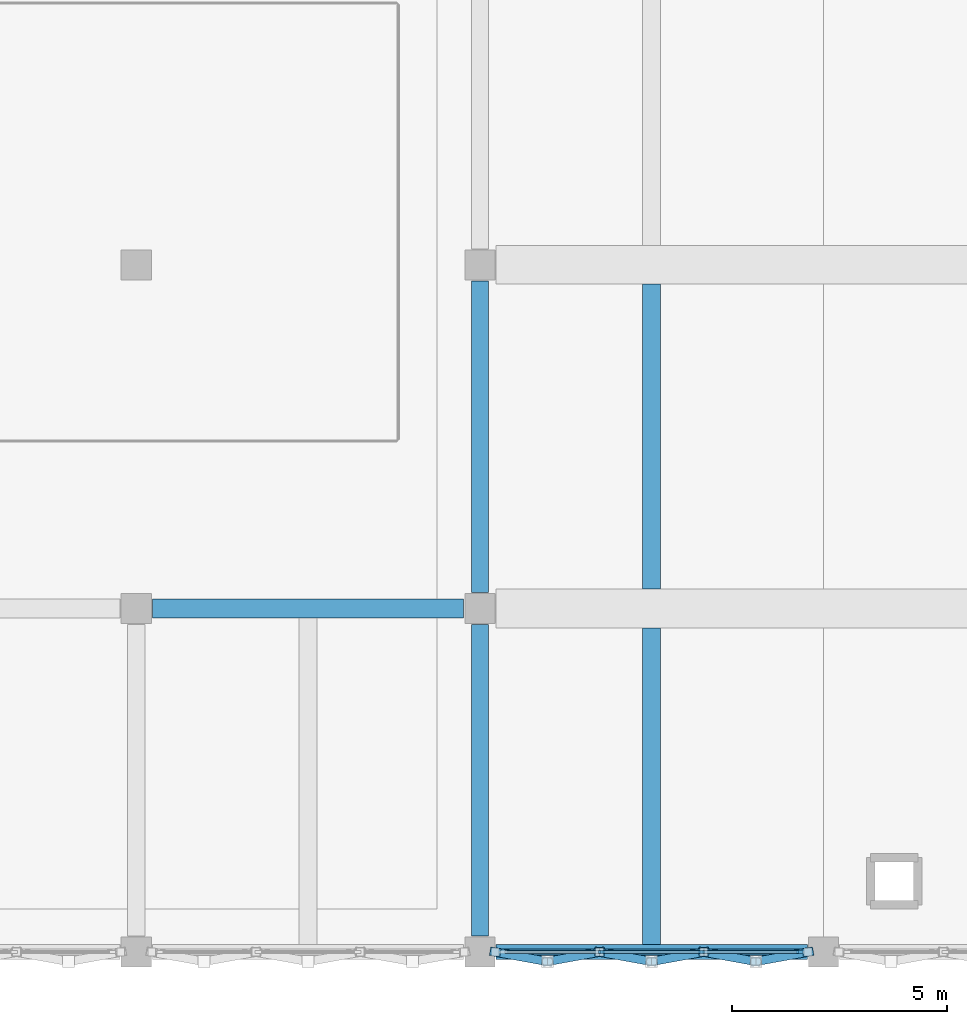
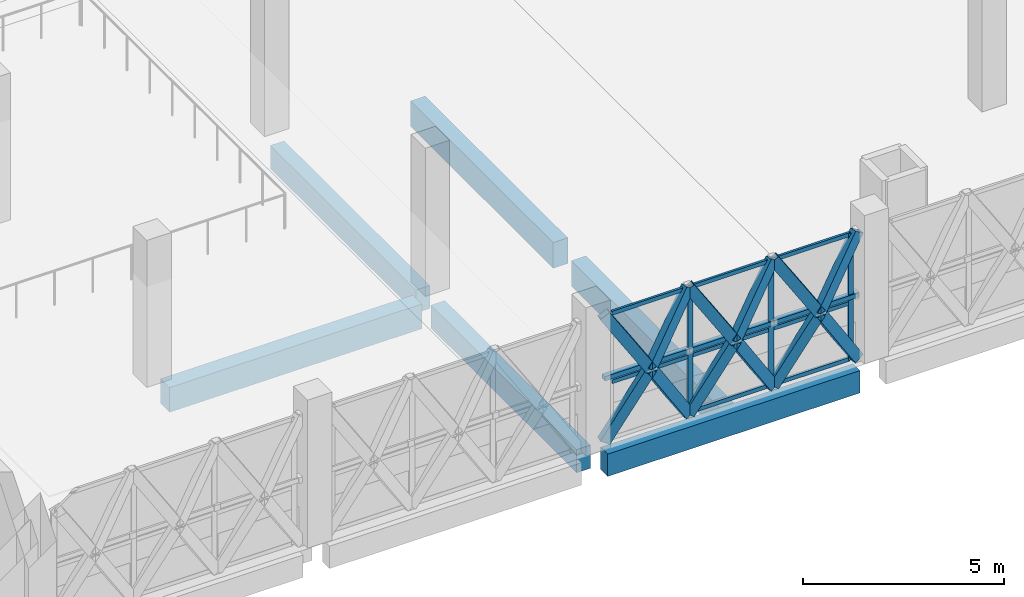
# One storey, part 6 of 45: 26 members, 6 beams, 1 element without a shape of its own.
"""IFC4 building model written with IfcOpenShell, lengths in metres."""

import ifcopenshell
import ifcopenshell.guid

model = None  # the IFC model being written
_history = None  # IfcOwnerHistory: only IFC2X3 demands one
_inside = {}  # id of a spatial element -> (the spatial element, [elements in it])
_under = {}  # id of a project, library or spatial element -> (it, [spatial elements below it])
_declared = {}  # id of a project -> (the project, [libraries it declares])
_typed = {}  # id of a type object -> (the type object, [elements of that type])
_made_of = {}  # id of a material, layer set ... -> (it, [elements and type objects made of it])


def new_model(schema):
    """Start an empty IFC model of exactly this schema.

    Asked for "IFC4X3", IfcOpenShell would pick the latest addendum, in which some entities
    have other attributes; the version numbers below select the first issue.
    IFC2X3 requires an IfcOwnerHistory on every rooted entity: one is made here for all.
    """
    global model, _history
    if schema == "IFC4X3":
        model = ifcopenshell.file(schema_version=(4, 3, 0, 0))
    else:
        model = ifcopenshell.file(schema=schema)
    _inside.clear()
    _under.clear()
    _declared.clear()
    _typed.clear()
    _made_of.clear()
    _history = None
    if model.schema == "IFC2X3":
        org = make("IfcOrganization", Name="unknown")
        user = make(
            "IfcPersonAndOrganization",
            ThePerson=make("IfcPerson", FamilyName="unknown"),
            TheOrganization=org,
        )
        app = make(
            "IfcApplication",
            ApplicationDeveloper=org,
            Version="unknown",
            ApplicationFullName="unknown",
            ApplicationIdentifier="unknown",
        )
        _history = make(
            "IfcOwnerHistory",
            OwningUser=user,
            OwningApplication=app,
            ChangeAction="ADDED",
            CreationDate=0,
        )
    return model


def make(cls, **values):
    """One entity of the class cls with the attributes given. An attribute that is None is left unset."""
    return model.create_entity(
        cls, **{name: value for name, value in values.items() if value is not None}
    )


def rooted(cls, **values):
    """An entity with a GlobalId (a new one), such as an element, a storey or a relation."""
    return make(cls, GlobalId=ifcopenshell.guid.new(), OwnerHistory=_history, **values)


def si_unit(unit_type, name, prefix=None):
    """IfcSIUnit, for example si_unit("LENGTHUNIT", "METRE", prefix="MILLI")."""
    return make("IfcSIUnit", UnitType=unit_type, Prefix=prefix, Name=name)


def assignment(units):
    """IfcUnitAssignment: the units of a project."""
    return None if units is None else make("IfcUnitAssignment", Units=units)


def point(xyz):
    """IfcCartesianPoint."""
    return None if xyz is None else make("IfcCartesianPoint", Coordinates=xyz)


def direction(xyz):
    """IfcDirection."""
    return None if xyz is None else make("IfcDirection", DirectionRatios=xyz)


def frame(location, z_axis=None, x_axis=None):
    """IfcAxis2Placement3D, a coordinate frame: its origin and axes. An axis left out is left unset."""
    return make(
        "IfcAxis2Placement3D",
        Location=point(location),
        Axis=direction(z_axis),
        RefDirection=direction(x_axis),
    )


def frame_2d(location, x_axis=None):
    """IfcAxis2Placement2D, a coordinate frame in the plane: its origin and x axis."""
    return make(
        "IfcAxis2Placement2D", Location=point(location), RefDirection=direction(x_axis)
    )


def origin():
    """The frame at (0, 0, 0) with its axes left unset."""
    return frame((0.0, 0.0, 0.0))


def origin_2d():
    """The frame at (0, 0) in the plane with its x axis left unset."""
    return frame_2d((0.0, 0.0))


def place(relative_to, where):
    """IfcLocalPlacement: puts the frame where relative to a parent placement (None: the world)."""
    return make(
        "IfcLocalPlacement", PlacementRelTo=relative_to, RelativePlacement=where
    )


def context(
    kind, dimensions, precision=None, world=None, true_north=None, identifier=None
):
    """IfcGeometricRepresentationContext, for example the 3D "Model" context."""
    return make(
        "IfcGeometricRepresentationContext",
        ContextIdentifier=identifier,
        ContextType=kind,
        CoordinateSpaceDimension=dimensions,
        Precision=precision,
        WorldCoordinateSystem=world,
        TrueNorth=true_north,
    )


def subcontext(parent, identifier, kind, view, scale=None):
    """IfcGeometricRepresentationSubContext, for example "Body" below "Model"."""
    return make(
        "IfcGeometricRepresentationSubContext",
        ContextIdentifier=identifier,
        ContextType=kind,
        ParentContext=parent,
        TargetScale=scale,
        TargetView=view,
    )


def project(units=None, contexts=None):
    """IfcProject with its units and contexts."""
    return rooted(
        "IfcProject",
        Name="project",
        RepresentationContexts=contexts,
        UnitsInContext=assignment(units),
    )


def spatial(cls, under=None, at=None, **own):
    """A site, building, storey or space (cls), placed at a placement, below another one or the project."""
    s = rooted(cls, ObjectPlacement=at, **own)
    if under is not None:
        _under.setdefault(under.id(), (under, []))[1].append(s)
    return s


def profile(cls, at=None, kind="AREA", **sizes):
    """A parametric profile (cls). Its sizes go by their IFC names, for example OverallWidth=200.0."""
    return make(cls, ProfileType=kind, Position=at, **sizes)


def rectangle(**sizes):
    """IfcRectangleProfileDef."""
    return profile("IfcRectangleProfileDef", **sizes)


def hollow_rectangle(**sizes):
    """IfcRectangleHollowProfileDef."""
    return profile("IfcRectangleHollowProfileDef", **sizes)


def extrude(swept, where, along, depth):
    """IfcExtrudedAreaSolid: the profile swept, set in the frame where, extruded along a direction by depth."""
    return make(
        "IfcExtrudedAreaSolid",
        SweptArea=swept,
        Position=where,
        ExtrudedDirection=direction(along),
        Depth=depth,
    )


def shape(context_of_items, identifier, shape_type, items):
    """IfcShapeRepresentation: the items that make up one representation, for example the "Body"."""
    return make(
        "IfcShapeRepresentation",
        ContextOfItems=context_of_items,
        RepresentationIdentifier=identifier,
        RepresentationType=shape_type,
        Items=items,
    )


def material(Name=None, Category=None):
    """IfcMaterial."""
    return make("IfcMaterial", Name=Name, Category=Category)


def layer(
    of_material, thickness, ventilated=None, Name=None, Category=None, Priority=None
):
    """IfcMaterialLayer: one layer of a wall or slab, of a material (None: an air gap)."""
    return make(
        "IfcMaterialLayer",
        Material=of_material,
        LayerThickness=thickness,
        IsVentilated=ventilated,
        Name=Name,
        Category=Category,
        Priority=Priority,
    )


def layer_set(layers, Name=None):
    """IfcMaterialLayerSet."""
    return make("IfcMaterialLayerSet", MaterialLayers=layers, LayerSetName=Name)


def material_profile(
    of_material, cross_section, Name=None, Category=None, Priority=None
):
    """IfcMaterialProfile: a cross section and its material."""
    return make(
        "IfcMaterialProfile",
        Name=Name,
        Material=of_material,
        Profile=cross_section,
        Priority=Priority,
        Category=Category,
    )


def profile_set(profiles, Name=None, composite=None):
    """IfcMaterialProfileSet."""
    return make(
        "IfcMaterialProfileSet",
        Name=Name,
        MaterialProfiles=profiles,
        CompositeProfile=composite,
    )


def made_of(thing, what):
    """Note that an element or type object is made of a material, layer set ...; save() writes the relation."""
    if what is not None:
        _made_of.setdefault(what.id(), (what, []))[1].append(thing)
    return thing


def type_object(cls, material=None, **own):
    """A type object (cls), such as IfcWallType, which elements share."""
    return made_of(rooted(cls, **own), material)


def element(
    cls,
    number,
    at=None,
    inside=None,
    cuts=None,
    type_object=None,
    material=None,
    context=None,
    identifier="Body",
    shape_type=None,
    held_by="IfcProductDefinitionShape",
    body=None,
    shapes=None,
    **own,
):
    """One element of the class cls, such as IfcWall. Its Tag is "e" and its number.

    at: its placement. inside: the storey or other place that contains it. cuts: it is an
    opening in that element (IfcRelVoidsElement). A single representation is given by context,
    identifier, shape_type and body (its items); several are given by shapes. held_by: the class
    of the entity that holds the representations. save() writes the other relations.
    """
    e = rooted(cls, Tag="e%d" % number, ObjectPlacement=at, **own)
    if body is not None:
        shapes = [shape(context, identifier, shape_type, body)]
    if shapes is not None:
        e.Representation = make(held_by, Representations=shapes)
    if inside is not None:
        _inside.setdefault(inside.id(), (inside, []))[1].append(e)
    if cuts is not None:
        rooted(
            "IfcRelVoidsElement", RelatingBuildingElement=cuts, RelatedOpeningElement=e
        )
    if type_object is not None:
        _typed.setdefault(type_object.id(), (type_object, []))[1].append(e)
    return made_of(e, material)


def aggregate(whole, parts):
    """IfcRelAggregates: a whole, such as a stair, and the parts it consists of."""
    return rooted("IfcRelAggregates", RelatingObject=whole, RelatedObjects=parts)


def save(model, path):
    """Write the relations noted so far, then the file.

    IfcRelAggregates (storeys below a building ...), IfcRelContainedInSpatialStructure (elements
    in a storey), IfcRelDefinesByType, IfcRelAssociatesMaterial and IfcRelDeclares: one each for
    every whole, place, type object, material and project.
    """
    for whole, parts in _under.values():
        aggregate(whole, parts)
    for where, things in _inside.values():
        rooted(
            "IfcRelContainedInSpatialStructure",
            RelatedElements=things,
            RelatingStructure=where,
        )
    for kind, things in _typed.values():
        rooted("IfcRelDefinesByType", RelatedObjects=things, RelatingType=kind)
    for what, things in _made_of.values():
        rooted("IfcRelAssociatesMaterial", RelatedObjects=things, RelatingMaterial=what)
    for by, libraries in _declared.values():
        rooted("IfcRelDeclares", RelatingContext=by, RelatedDefinitions=libraries)
    model.write(path)


model = new_model("IFC4")

# Units and contexts
model_context = context("Model", 3, precision=1e-05, world=origin(), true_north=direction((0.0, 1.0)))
body_context = subcontext(model_context, "Body", "Model", "MODEL_VIEW")
ifc_project = project(units=[si_unit("LENGTHUNIT", "METRE"), si_unit("AREAUNIT", "SQUARE_METRE"), si_unit("VOLUMEUNIT", "CUBIC_METRE"), si_unit("PLANEANGLEUNIT", "RADIAN"), si_unit("MASSUNIT", "GRAM", prefix="KILO")], contexts=[model_context])

# Site, building, storey
site_placement = place(None, origin())
site = spatial("IfcSite", under=ifc_project, at=site_placement, CompositionType="ELEMENT")
building_placement = place(site_placement, origin())
building = spatial("IfcBuilding", under=site, at=building_placement, Name="Qorikala Patio Media Centre", CompositionType="ELEMENT")
storey_placement = place(building_placement, frame((0.0, 0.0, 9.89990234375)))
storey = spatial("IfcBuildingStorey", under=building, at=storey_placement, Name="L02", CompositionType="ELEMENT", Elevation=9.89990234375)

# Beams
ifc_material_1 = material(Name="Concrete C35/45", Category="concrete")
ifc_material_profile_1 = material_profile(ifc_material_1, rectangle(XDim=0.39990234375, YDim=0.699951171875, at=origin_2d()), Name="RC 400x700")
ifc_profile_set_1 = profile_set([ifc_material_profile_1], Name="Concrete C35/45")
beam_type_1 = type_object("IfcBeamType", Name="BM-G400X700", PredefinedType="BEAM", material=ifc_profile_set_1)
for number, where, z_axis, x_axis, name in (
    (1, (59.0, 3.375, -0.64990234375), (0.0, 1.0, 0.0), (-1.0, 0.0, 0.0), "L02 Grid X=59 Beam 0956"),
    (2, (59.0, 11.375, -0.64990234375), (0.0, 1.0, 0.0), (-1.0, 0.0, 0.0), "L02 Grid X=59 Beam 0957"),
):
    element("IfcBeam", number, at=place(storey_placement, frame(where, z_axis=z_axis, x_axis=x_axis)), inside=storey, type_object=beam_type_1, Name=name, PredefinedType="BEAM", context=body_context, shape_type="SweptSolid", body=[
        extrude(rectangle(XDim=0.39990234375, YDim=0.699951171875, at=origin_2d()), origin(), (0.0, 0.0, 1.0), 7.25),
    ])
ifc_material_profile_2 = material_profile(ifc_material_1, rectangle(XDim=0.449951171875, YDim=0.75, at=origin_2d()), Name="RC 450x750")
ifc_profile_set_2 = profile_set([ifc_material_profile_2], Name="Concrete C35/45")
beam_type_2 = type_object("IfcBeamType", Name="BM-G450X750", PredefinedType="BEAM", material=ifc_profile_set_2)
beam_1_placement = place(storey_placement, frame((51.375, 11.0, -0.6748046875), z_axis=(1.0, 0.0, 0.0), x_axis=(0.0, 1.0, 0.0)))
element("IfcBeam", 3, at=beam_1_placement, inside=storey, type_object=beam_type_2, Name="L02 Grid 11 Beam 0782", PredefinedType="BEAM", context=body_context, shape_type="SweptSolid", body=[
    extrude(rectangle(XDim=0.449951171875, YDim=0.75, at=origin_2d()), origin(), (0.0, 0.0, 1.0), 7.25),
])

# Members
ifc_material_2 = material(Name="Golden Bronze Coated Steel S355", Category="steel")
ifc_material_profile_3 = material_profile(ifc_material_2, hollow_rectangle(XDim=0.139892578125, YDim=0.139892578125, WallThickness=0.006103515625, at=origin_2d()), Name="HSS140X140X6")
ifc_profile_set_3 = profile_set([ifc_material_profile_3], Name="Golden Bronze Coated Steel S355")
member_type_1 = type_object("IfcMemberType", Name="BRACE-DIA140", PredefinedType="BRACE", material=ifc_profile_set_3)
member_1_placement = place(storey_placement, frame((66.639892578125, 3.0, 1.925048828125), z_axis=(-1.0, 0.0, 0.0), x_axis=(0.0, -1.0, 0.0)))
element("IfcMember", 4, at=member_1_placement, inside=storey, type_object=member_type_1, Name="L02 Diamond Fold Tie 040", PredefinedType="BRACE", context=body_context, shape_type="SweptSolid", body=[
    extrude(hollow_rectangle(XDim=0.139892578125, YDim=0.139892578125, WallThickness=0.006103515625, at=origin_2d()), origin(), (0.0, 0.0, 1.0), 2.426513671875),
])
member_2_placement = place(storey_placement, frame((64.21337890625, 3.0, 1.925048828125), z_axis=(-1.0, 0.0, 0.0), x_axis=(0.0, -1.0, 0.0)))
element("IfcMember", 5, at=member_2_placement, inside=storey, type_object=member_type_1, Name="L02 Diamond Fold Tie 041", PredefinedType="BRACE", context=body_context, shape_type="SweptSolid", body=[
    extrude(hollow_rectangle(XDim=0.139892578125, YDim=0.139892578125, WallThickness=0.006103515625, at=origin_2d()), origin(), (0.0, 0.0, 1.0), 2.4267578125),
])
member_3_placement = place(storey_placement, frame((61.78662109375, 3.0, 1.925048828125), z_axis=(-1.0, 0.0, 0.0), x_axis=(0.0, -1.0, 0.0)))
element("IfcMember", 6, at=member_3_placement, inside=storey, type_object=member_type_1, Name="L02 Diamond Fold Tie 042", PredefinedType="BRACE", context=body_context, shape_type="SweptSolid", body=[
    extrude(hollow_rectangle(XDim=0.139892578125, YDim=0.139892578125, WallThickness=0.006103515625, at=origin_2d()), origin(), (0.0, 0.0, 1.0), 2.426513671875),
])

# Curtain wall, members
ifc_material_3 = material(Name="Golden Bronze Anodised Aluminium and Low-E Glass", Category="aluminium")
ifc_layer = layer(ifc_material_3, 0.159912109375)
ifc_layer_set = layer_set([ifc_layer], Name="Golden Bronze Anodised Aluminium and Low-E Glass")
curtain_wall_type = type_object("IfcCurtainWallType", Name="CW-DIA-696X385", PredefinedType="USERDEFINED", material=ifc_layer_set)
curtain_wall_placement = place(storey_placement, origin())
curtain_wall = element("IfcCurtainWall", 7, at=curtain_wall_placement, inside=storey, type_object=curtain_wall_type, Name="L02 Courtyard Curtain Wall 042", ObjectType="COURTYARD CURTAIN WALL", PredefinedType="USERDEFINED")
ifc_material_4 = material(Name="Golden Bronze Anodised Aluminium", Category="aluminium")
ifc_material_profile_4 = material_profile(ifc_material_4, rectangle(XDim=0.06494140625, YDim=0.14990234375, at=origin_2d()), Name="ALU MULLION 65x150")
ifc_profile_set_4 = profile_set([ifc_material_profile_4], Name="Golden Bronze Anodised Aluminium")
member_type_2 = type_object("IfcMemberType", Name="CWM-65X150", PredefinedType="MULLION", material=ifc_profile_set_4)
member_4_placement = place(storey_placement, frame((66.447509765625, 3.0, 0.0), z_axis=(0.0, 0.0, 1.0), x_axis=(0.0, -1.0, 0.0)))
member_4 = element("IfcMember", 8, at=member_4_placement, type_object=member_type_2, Name="CWD696385 mullion 1", PredefinedType="MULLION", context=body_context, shape_type="SweptSolid", body=[
    extrude(rectangle(XDim=0.06494140625, YDim=0.14990234375, at=origin_2d()), origin(), (0.0, 0.0, 1.0), 3.85009765625),
])
member_5_placement = place(storey_placement, frame((64.159912109375, 3.0, 0.0), z_axis=(0.0, 0.0, 1.0), x_axis=(0.0, -1.0, 0.0)))
member_5 = element("IfcMember", 9, at=member_5_placement, type_object=member_type_2, Name="CWD696385 mullion 2", PredefinedType="MULLION", context=body_context, shape_type="SweptSolid", body=[
    extrude(rectangle(XDim=0.06494140625, YDim=0.14990234375, at=origin_2d()), origin(), (0.0, 0.0, 1.0), 3.85009765625),
])
member_6_placement = place(storey_placement, frame((61.840087890625, 3.0, 0.0), z_axis=(0.0, 0.0, 1.0), x_axis=(0.0, -1.0, 0.0)))
member_6 = element("IfcMember", 10, at=member_6_placement, type_object=member_type_2, Name="CWD696385 mullion 3", PredefinedType="MULLION", context=body_context, shape_type="SweptSolid", body=[
    extrude(rectangle(XDim=0.06494140625, YDim=0.14990234375, at=origin_2d()), origin(), (0.0, 0.0, 1.0), 3.85009765625),
])
ifc_material_profile_5 = material_profile(ifc_material_4, rectangle(XDim=0.06494140625, YDim=0.1201171875, at=origin_2d()), Name="ALU TRANSOM 65x120")
ifc_profile_set_5 = profile_set([ifc_material_profile_5], Name="Golden Bronze Anodised Aluminium")
member_type_3 = type_object("IfcMemberType", Name="CWT-65X120", PredefinedType="USERDEFINED", material=ifc_profile_set_5)
member_7_placement = place(storey_placement, frame((66.4150390625, 3.0, 0.03271484375), z_axis=(-1.0, 0.0, 0.0), x_axis=(0.0, -1.0, 0.0)))
member_7 = element("IfcMember", 11, at=member_7_placement, type_object=member_type_3, Name="CWD696385 transom 1.1", ObjectType="TRANSOM", PredefinedType="USERDEFINED", context=body_context, shape_type="SweptSolid", body=[
    extrude(rectangle(XDim=0.06494140625, YDim=0.1201171875, at=origin_2d()), origin(), (0.0, 0.0, 1.0), 2.22265625),
])
member_8_placement = place(storey_placement, frame((66.4150390625, 3.0, 1.732666015625), z_axis=(-1.0, 0.0, 0.0), x_axis=(0.0, -1.0, 0.0)))
member_8 = element("IfcMember", 12, at=member_8_placement, type_object=member_type_3, Name="CWD696385 transom 1.2", ObjectType="TRANSOM", PredefinedType="USERDEFINED", context=body_context, shape_type="SweptSolid", body=[
    extrude(rectangle(XDim=0.06494140625, YDim=0.1201171875, at=origin_2d()), origin(), (0.0, 0.0, 1.0), 2.22265625),
])
member_9_placement = place(storey_placement, frame((66.4150390625, 3.0, 3.817626953125), z_axis=(-1.0, 0.0, 0.0), x_axis=(0.0, -1.0, 0.0)))
member_9 = element("IfcMember", 13, at=member_9_placement, type_object=member_type_3, Name="CWD696385 transom 1.3", ObjectType="TRANSOM", PredefinedType="USERDEFINED", context=body_context, shape_type="SweptSolid", body=[
    extrude(rectangle(XDim=0.06494140625, YDim=0.1201171875, at=origin_2d()), origin(), (0.0, 0.0, 1.0), 2.22265625),
])
member_10_placement = place(storey_placement, frame((64.12744140625, 3.0, 0.03271484375), z_axis=(-1.0, 0.0, 0.0), x_axis=(0.0, -1.0, 0.0)))
member_10 = element("IfcMember", 14, at=member_10_placement, type_object=member_type_3, Name="CWD696385 transom 2.1", ObjectType="TRANSOM", PredefinedType="USERDEFINED", context=body_context, shape_type="SweptSolid", body=[
    extrude(rectangle(XDim=0.06494140625, YDim=0.1201171875, at=origin_2d()), origin(), (0.0, 0.0, 1.0), 2.2548828125),
])
member_11_placement = place(storey_placement, frame((64.12744140625, 3.0, 1.732666015625), z_axis=(-1.0, 0.0, 0.0), x_axis=(0.0, -1.0, 0.0)))
member_11 = element("IfcMember", 15, at=member_11_placement, type_object=member_type_3, Name="CWD696385 transom 2.2", ObjectType="TRANSOM", PredefinedType="USERDEFINED", context=body_context, shape_type="SweptSolid", body=[
    extrude(rectangle(XDim=0.06494140625, YDim=0.1201171875, at=origin_2d()), origin(), (0.0, 0.0, 1.0), 2.2548828125),
])
member_12_placement = place(storey_placement, frame((64.12744140625, 3.0, 3.817626953125), z_axis=(-1.0, 0.0, 0.0), x_axis=(0.0, -1.0, 0.0)))
member_12 = element("IfcMember", 16, at=member_12_placement, type_object=member_type_3, Name="CWD696385 transom 2.3", ObjectType="TRANSOM", PredefinedType="USERDEFINED", context=body_context, shape_type="SweptSolid", body=[
    extrude(rectangle(XDim=0.06494140625, YDim=0.1201171875, at=origin_2d()), origin(), (0.0, 0.0, 1.0), 2.2548828125),
])
member_13_placement = place(storey_placement, frame((61.8076171875, 3.0, 1.732666015625), z_axis=(-1.0, 0.0, 0.0), x_axis=(0.0, -1.0, 0.0)))
member_13 = element("IfcMember", 17, at=member_13_placement, type_object=member_type_3, Name="CWD696385 transom 3.2", ObjectType="TRANSOM", PredefinedType="USERDEFINED", context=body_context, shape_type="SweptSolid", body=[
    extrude(rectangle(XDim=0.06494140625, YDim=0.1201171875, at=origin_2d()), origin(), (0.0, 0.0, 1.0), 2.22265625),
])
member_14_placement = place(storey_placement, frame((61.8076171875, 3.0, 3.817626953125), z_axis=(-1.0, 0.0, 0.0), x_axis=(0.0, -1.0, 0.0)))
member_14 = element("IfcMember", 18, at=member_14_placement, type_object=member_type_3, Name="CWD696385 transom 3.3", ObjectType="TRANSOM", PredefinedType="USERDEFINED", context=body_context, shape_type="SweptSolid", body=[
    extrude(rectangle(XDim=0.06494140625, YDim=0.1201171875, at=origin_2d()), origin(), (0.0, 0.0, 1.0), 2.22265625),
])
aggregate(curtain_wall, [member_4, member_5, member_6, member_7, member_8, member_9, member_10, member_11, member_12, member_13, member_14])

# Beam
ifc_material_profile_6 = material_profile(ifc_material_1, rectangle(XDim=0.35009765625, YDim=0.679931640625, at=origin_2d()), Name="RC 350x680")
ifc_profile_set_6 = profile_set([ifc_material_profile_6], Name="Concrete C35/45")
beam_type_3 = type_object("IfcBeamType", Name="SP-350X680", PredefinedType="SPANDREL", material=ifc_profile_set_6)
beam_2_placement = place(storey_placement, frame((59.375, 3.0, -0.639892578125), z_axis=(1.0, 0.0, 0.0), x_axis=(0.0, 1.0, 0.0)))
element("IfcBeam", 19, at=beam_2_placement, inside=storey, type_object=beam_type_3, Name="L02 Grid 3 Beam 0762", PredefinedType="SPANDREL", context=body_context, shape_type="SweptSolid", body=[
    extrude(rectangle(XDim=0.35009765625, YDim=0.679931640625, at=origin_2d()), origin(), (0.0, 0.0, 1.0), 7.25),
])

# Members
ifc_material_profile_7 = material_profile(ifc_material_2, hollow_rectangle(XDim=0.199951171875, YDim=0.300048828125, WallThickness=0.011962890625, at=origin_2d()), Name="HSS300X200X12")
ifc_profile_set_7 = profile_set([ifc_material_profile_7], Name="Golden Bronze Coated Steel S355")
member_type_4 = type_object("IfcMemberType", Name="STRUT-DIA300", PredefinedType="STRUT", material=ifc_profile_set_7)
member_15_placement = place(storey_placement, frame((66.639892578125, 3.0, 0.0), z_axis=(-0.530691378365, -0.095906793675, 0.842121456713), x_axis=(0.17783968734, -0.984059472596, 0.0)))
element("IfcMember", 20, at=member_15_placement, inside=storey, type_object=member_type_4, Name="L02 Diamond Foyer Fold Strut 040-DL1", PredefinedType="STRUT", context=body_context, shape_type="SweptSolid", body=[
    extrude(hollow_rectangle(XDim=0.199951171875, YDim=0.300048828125, WallThickness=0.011962890625, at=origin_2d()), origin(), (0.0, 0.0, 1.0), 2.285888671875),
])
member_16_placement = place(storey_placement, frame((64.21337890625, 3.0, 0.0), z_axis=(0.530768093717, -0.095901357778, 0.842073726148), x_axis=(0.177805036072, 0.98406573416, 0.0)))
element("IfcMember", 21, at=member_16_placement, inside=storey, type_object=member_type_4, Name="L02 Diamond Foyer Fold Strut 040-DL2", PredefinedType="STRUT", context=body_context, shape_type="SweptSolid", body=[
    extrude(hollow_rectangle(XDim=0.199951171875, YDim=0.300048828125, WallThickness=0.011962890625, at=origin_2d()), origin(), (0.0, 0.0, 1.0), 2.2861328125),
])
member_17_placement = place(storey_placement, frame((65.4267578125, 2.78076171875, 1.925048828125), z_axis=(0.530691378365, 0.095906793675, 0.842121456713), x_axis=(-0.17783968734, 0.984059472596, 0.0)))
element("IfcMember", 22, at=member_17_placement, inside=storey, type_object=member_type_4, Name="L02 Diamond Foyer Fold Strut 040-DU1", PredefinedType="STRUT", context=body_context, shape_type="SweptSolid", body=[
    extrude(hollow_rectangle(XDim=0.199951171875, YDim=0.300048828125, WallThickness=0.011962890625, at=origin_2d()), origin(), (0.0, 0.0, 1.0), 2.285888671875),
])
for number, where, z_axis, x_axis, name in (
    (23, (65.4267578125, 2.78076171875, 1.925048828125), (-0.530768093717, 0.095901357778, 0.842073726148), (-0.177805036072, -0.98406573416, 0.0), "L02 Diamond Foyer Fold Strut 040-DU2"),
    (24, (64.21337890625, 3.0, 0.0), (-0.530768093717, -0.095901357778, 0.842073726148), (0.177805036072, -0.98406573416, 0.0), "L02 Diamond Foyer Fold Strut 041-DL1"),
    (25, (61.78662109375, 3.0, 0.0), (0.530768093717, -0.095901357778, 0.842073726148), (0.177805036072, 0.98406573416, 0.0), "L02 Diamond Foyer Fold Strut 041-DL2"),
    (26, (63.0, 2.78076171875, 1.925048828125), (0.530768093717, 0.095901357778, 0.842073726148), (-0.177805036072, 0.98406573416, 0.0), "L02 Diamond Foyer Fold Strut 041-DU1"),
    (27, (63.0, 2.78076171875, 1.925048828125), (-0.530768093717, 0.095901357778, 0.842073726148), (-0.177805036072, -0.98406573416, 0.0), "L02 Diamond Foyer Fold Strut 041-DU2"),
    (28, (61.78662109375, 3.0, 0.0), (-0.530768093717, -0.095901357778, 0.842073726148), (0.177805036072, -0.98406573416, 0.0), "L02 Diamond Foyer Fold Strut 042-DL1"),
):
    element("IfcMember", number, at=place(storey_placement, frame(where, z_axis=z_axis, x_axis=x_axis)), inside=storey, type_object=member_type_4, Name=name, PredefinedType="STRUT", context=body_context, shape_type="SweptSolid", body=[
        extrude(hollow_rectangle(XDim=0.199951171875, YDim=0.300048828125, WallThickness=0.011962890625, at=origin_2d()), origin(), (0.0, 0.0, 1.0), 2.2861328125),
    ])
member_18_placement = place(storey_placement, frame((59.360107421875, 3.0, 0.0), z_axis=(0.530691378365, -0.095906793675, 0.842121456713), x_axis=(0.17783968734, 0.984059472596, 0.0)))
element("IfcMember", 29, at=member_18_placement, inside=storey, type_object=member_type_4, Name="L02 Diamond Foyer Fold Strut 042-DL2", PredefinedType="STRUT", context=body_context, shape_type="SweptSolid", body=[
    extrude(hollow_rectangle(XDim=0.199951171875, YDim=0.300048828125, WallThickness=0.011962890625, at=origin_2d()), origin(), (0.0, 0.0, 1.0), 2.285888671875),
])
member_19_placement = place(storey_placement, frame((60.5732421875, 2.78076171875, 1.925048828125), z_axis=(0.530768093717, 0.095901357778, 0.842073726148), x_axis=(-0.177805036072, 0.98406573416, 0.0)))
element("IfcMember", 30, at=member_19_placement, inside=storey, type_object=member_type_4, Name="L02 Diamond Foyer Fold Strut 042-DU1", PredefinedType="STRUT", context=body_context, shape_type="SweptSolid", body=[
    extrude(hollow_rectangle(XDim=0.199951171875, YDim=0.300048828125, WallThickness=0.011962890625, at=origin_2d()), origin(), (0.0, 0.0, 1.0), 2.2861328125),
])
member_20_placement = place(storey_placement, frame((60.5732421875, 2.78076171875, 1.925048828125), z_axis=(-0.530691378365, 0.095906793675, 0.842121456713), x_axis=(-0.17783968734, -0.984059472596, 0.0)))
element("IfcMember", 31, at=member_20_placement, inside=storey, type_object=member_type_4, Name="L02 Diamond Foyer Fold Strut 042-DU2", PredefinedType="STRUT", context=body_context, shape_type="SweptSolid", body=[
    extrude(hollow_rectangle(XDim=0.199951171875, YDim=0.300048828125, WallThickness=0.011962890625, at=origin_2d()), origin(), (0.0, 0.0, 1.0), 2.285888671875),
])

# Beams
ifc_material_profile_8 = material_profile(ifc_material_1, rectangle(XDim=0.419921875, YDim=0.780029296875, at=origin_2d()), Name="RC 420x780")
ifc_profile_set_8 = profile_set([ifc_material_profile_8], Name="Concrete C35/45")
beam_type_4 = type_object("IfcBeamType", Name="TB-420X780", PredefinedType="T_BEAM", material=ifc_profile_set_8)
beam_3_placement = place(storey_placement, frame((63.0, 3.175048828125, -0.68994140625), z_axis=(0.0, 1.0, 0.0), x_axis=(-1.0, 0.0, 0.0)))
element("IfcBeam", 32, at=beam_3_placement, inside=storey, type_object=beam_type_4, Name="L02 Secondary Joist 1061", PredefinedType="T_BEAM", context=body_context, shape_type="SweptSolid", body=[
    extrude(rectangle(XDim=0.419921875, YDim=0.780029296875, at=origin_2d()), origin(), (0.0, 0.0, 1.0), 7.375),
])
beam_4_placement = place(storey_placement, frame((63.0, 11.449951171875, -0.68994140625), z_axis=(0.0, 1.0, 0.0), x_axis=(-1.0, 0.0, 0.0)))
element("IfcBeam", 33, at=beam_4_placement, inside=storey, type_object=beam_type_4, Name="L02 Secondary Joist 1062", PredefinedType="T_BEAM", context=body_context, shape_type="SweptSolid", body=[
    extrude(rectangle(XDim=0.419921875, YDim=0.780029296875, at=origin_2d()), origin(), (0.0, 0.0, 1.0), 7.10009765625),
])

save(model, "model.ifc")
